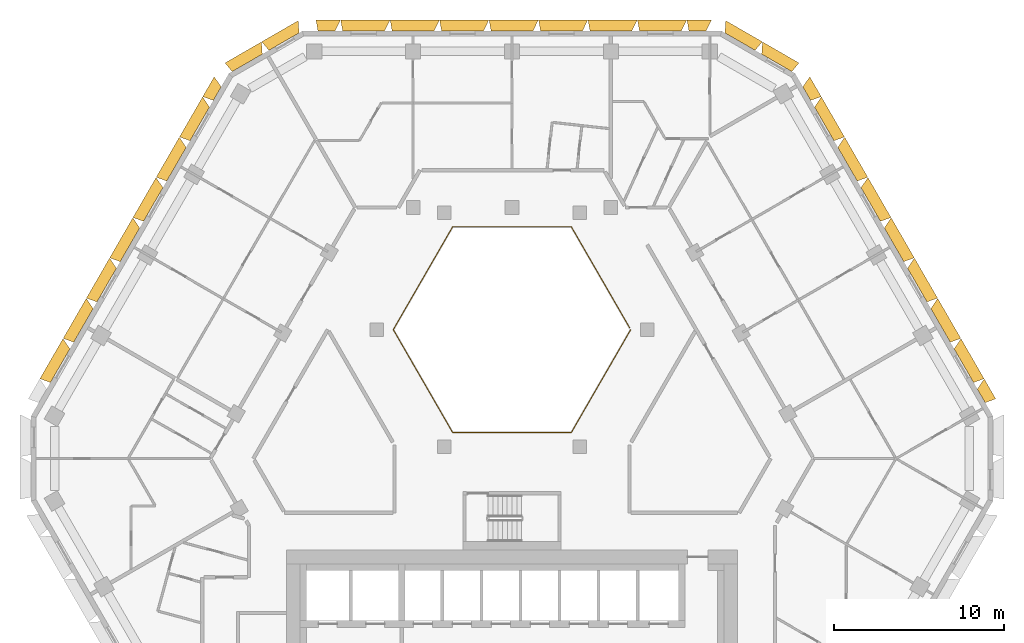
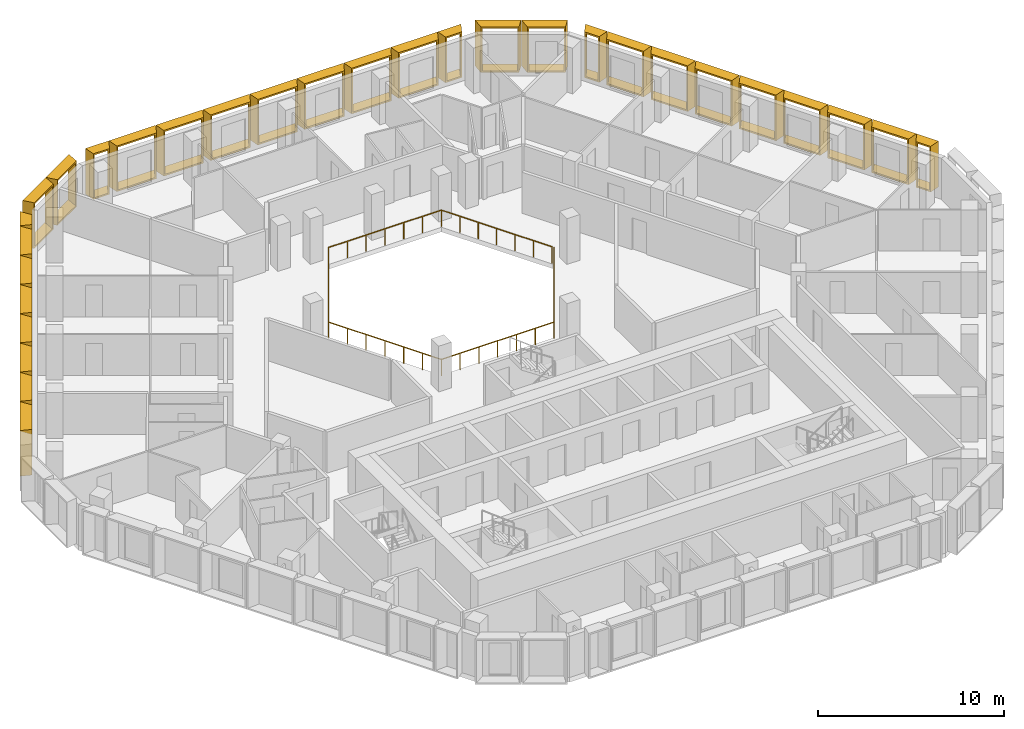
# One storey, part 15 of 15: 30 shading devices, 1 railing.
"""IFC4 building model written with IfcOpenShell, lengths in metres."""

from ifc_helpers import new_model, entity, si_unit, direction, frame, origin, origin_2d, place, context, subcontext, project, spatial, rectangle, extrude, source, transform, mapped, material, type_object, type_shapes, element, save


model = new_model("IFC4")

# Units and contexts
model_context = context("Model", 3, precision=1e-05, world=origin(), true_north=direction((0.0, 1.0)))
body_context = subcontext(model_context, "Body", "Model", "MODEL_VIEW")
ifc_project = project(units=[si_unit("LENGTHUNIT", "METRE"), si_unit("AREAUNIT", "SQUARE_METRE"), si_unit("VOLUMEUNIT", "CUBIC_METRE"), si_unit("PLANEANGLEUNIT", "RADIAN"), si_unit("MASSUNIT", "GRAM", prefix="KILO")], contexts=[model_context])

# Site, building, storey
site_placement = place(None, origin())
site = spatial("IfcSite", under=ifc_project, at=site_placement, CompositionType="ELEMENT")
building_placement = place(site_placement, origin())
building = spatial("IfcBuilding", under=site, at=building_placement, Name="Beryl Residences", CompositionType="ELEMENT")
storey_placement = place(building_placement, frame((0.0, 0.0, 117.60009765625)))
storey = spatial("IfcBuildingStorey", under=building, at=storey_placement, Name="L35", CompositionType="ELEMENT", Elevation=117.60009765625)

# Railing
ifc_material_1 = material(Name="Stainless steel balustrade with glass infill", Category="steel")
railing_type = type_object("IfcRailingType", Name="EG1 edge guard 1100 mm", PredefinedType="GUARDRAIL", material=ifc_material_1)
railing_placement = place(storey_placement, frame((6.9970703125, 8.0, 0.0)))
element("IfcRailing", 1, at=railing_placement, inside=storey, type_object=railing_type, Name="L35 atrium guard", PredefinedType="GUARDRAIL", context=body_context, shape_type="SweptSolid", body=[
    extrude(rectangle(XDim=0.048095703125, YDim=0.048095703125, at=origin_2d()), frame((0.0, 0.0, 1.076171875), z_axis=(-0.499921796684, -0.866070549782, 0.0), x_axis=(0.866070549782, -0.499921796684, 0.0)), (0.0, 0.0, 1.0), 6.9970703125),
    extrude(rectangle(XDim=0.048095703125, YDim=0.048095703125, at=origin_2d()), frame((-3.498046875, -6.06005859375, 1.076171875), z_axis=(-1.0, 0.0, 0.0), x_axis=(0.0, -1.0, 0.0)), (0.0, 0.0, 1.0), 6.998046875),
    extrude(rectangle(XDim=0.048095703125, YDim=0.048095703125, at=origin_2d()), frame((-10.49609375, -6.06005859375, 1.076171875), z_axis=(-0.499921796684, 0.866070549782, 0.0), x_axis=(-0.866070549782, -0.499921796684, 0.0)), (0.0, 0.0, 1.0), 6.9970703125),
    extrude(rectangle(XDim=0.048095703125, YDim=0.048095703125, at=origin_2d()), frame((-13.994140625, 0.0, 1.076171875), z_axis=(0.499921796684, 0.866070549782, 0.0), x_axis=(-0.866070549782, 0.499921796684, 0.0)), (0.0, 0.0, 1.0), 6.9970703125),
    extrude(rectangle(XDim=0.048095703125, YDim=0.048095703125, at=origin_2d()), frame((-10.49609375, 6.06005859375, 1.076171875), z_axis=(1.0, 0.0, 0.0), x_axis=(0.0, 1.0, 0.0)), (0.0, 0.0, 1.0), 6.998046875),
    extrude(rectangle(XDim=0.048095703125, YDim=0.048095703125, at=origin_2d()), frame((-3.498046875, 6.06005859375, 1.076171875), z_axis=(0.499919131929, -0.866072087953, 0.0), x_axis=(0.866072087953, 0.499919131929, 0.0)), (0.0, 0.0, 1.0), 6.877197265625),
    extrude(rectangle(XDim=0.0419921875, YDim=0.0419921875, at=origin_2d()), origin(), (0.0, 0.0, 1.0), 1.052001953125),
    extrude(rectangle(XDim=0.0419921875, YDim=0.0419921875, at=origin_2d()), frame((-0.5830078125, -1.010009765625, 0.0)), (0.0, 0.0, 1.0), 1.052001953125),
    extrude(rectangle(XDim=0.0419921875, YDim=0.0419921875, at=origin_2d()), frame((-1.166015625, -2.02001953125, 0.0)), (0.0, 0.0, 1.0), 1.052001953125),
    extrude(rectangle(XDim=0.0419921875, YDim=0.0419921875, at=origin_2d()), frame((-1.7490234375, -3.030029296875, 0.0)), (0.0, 0.0, 1.0), 1.052001953125),
    extrude(rectangle(XDim=0.0419921875, YDim=0.0419921875, at=origin_2d()), frame((-2.33203125, -4.0400390625, 0.0)), (0.0, 0.0, 1.0), 1.052001953125),
    extrude(rectangle(XDim=0.0419921875, YDim=0.0419921875, at=origin_2d()), frame((-2.9150390625, -5.050048828125, 0.0)), (0.0, 0.0, 1.0), 1.052001953125),
    extrude(rectangle(XDim=0.0419921875, YDim=0.0419921875, at=origin_2d()), frame((-3.498046875, -6.06005859375, 0.0)), (0.0, 0.0, 1.0), 1.052001953125),
    extrude(rectangle(XDim=0.0419921875, YDim=0.0419921875, at=origin_2d()), frame((-4.664306640625, -6.06005859375, 0.0)), (0.0, 0.0, 1.0), 1.052001953125),
    extrude(rectangle(XDim=0.0419921875, YDim=0.0419921875, at=origin_2d()), frame((-5.830810546875, -6.06005859375, 0.0)), (0.0, 0.0, 1.0), 1.052001953125),
    extrude(rectangle(XDim=0.0419921875, YDim=0.0419921875, at=origin_2d()), frame((-6.9970703125, -6.06005859375, 0.0)), (0.0, 0.0, 1.0), 1.052001953125),
    extrude(rectangle(XDim=0.0419921875, YDim=0.0419921875, at=origin_2d()), frame((-8.163330078125, -6.06005859375, 0.0)), (0.0, 0.0, 1.0), 1.052001953125),
    extrude(rectangle(XDim=0.0419921875, YDim=0.0419921875, at=origin_2d()), frame((-9.329833984375, -6.06005859375, 0.0)), (0.0, 0.0, 1.0), 1.052001953125),
    extrude(rectangle(XDim=0.0419921875, YDim=0.0419921875, at=origin_2d()), frame((-10.49609375, -6.06005859375, 0.0)), (0.0, 0.0, 1.0), 1.052001953125),
    extrude(rectangle(XDim=0.0419921875, YDim=0.0419921875, at=origin_2d()), frame((-11.0791015625, -5.050048828125, 0.0)), (0.0, 0.0, 1.0), 1.052001953125),
    extrude(rectangle(XDim=0.0419921875, YDim=0.0419921875, at=origin_2d()), frame((-11.662109375, -4.0400390625, 0.0)), (0.0, 0.0, 1.0), 1.052001953125),
    extrude(rectangle(XDim=0.0419921875, YDim=0.0419921875, at=origin_2d()), frame((-12.2451171875, -3.030029296875, 0.0)), (0.0, 0.0, 1.0), 1.052001953125),
    extrude(rectangle(XDim=0.0419921875, YDim=0.0419921875, at=origin_2d()), frame((-12.828125, -2.02001953125, 0.0)), (0.0, 0.0, 1.0), 1.052001953125),
    extrude(rectangle(XDim=0.0419921875, YDim=0.0419921875, at=origin_2d()), frame((-13.4111328125, -1.010009765625, 0.0)), (0.0, 0.0, 1.0), 1.052001953125),
    extrude(rectangle(XDim=0.0419921875, YDim=0.0419921875, at=origin_2d()), frame((-13.994140625, 0.0, 0.0)), (0.0, 0.0, 1.0), 1.052001953125),
    extrude(rectangle(XDim=0.0419921875, YDim=0.0419921875, at=origin_2d()), frame((-13.4111328125, 1.010009765625, 0.0)), (0.0, 0.0, 1.0), 1.052001953125),
    extrude(rectangle(XDim=0.0419921875, YDim=0.0419921875, at=origin_2d()), frame((-12.828125, 2.02001953125, 0.0)), (0.0, 0.0, 1.0), 1.052001953125),
    extrude(rectangle(XDim=0.0419921875, YDim=0.0419921875, at=origin_2d()), frame((-12.2451171875, 3.030029296875, 0.0)), (0.0, 0.0, 1.0), 1.052001953125),
    extrude(rectangle(XDim=0.0419921875, YDim=0.0419921875, at=origin_2d()), frame((-11.662109375, 4.0400390625, 0.0)), (0.0, 0.0, 1.0), 1.052001953125),
    extrude(rectangle(XDim=0.0419921875, YDim=0.0419921875, at=origin_2d()), frame((-11.0791015625, 5.050048828125, 0.0)), (0.0, 0.0, 1.0), 1.052001953125),
    extrude(rectangle(XDim=0.0419921875, YDim=0.0419921875, at=origin_2d()), frame((-10.49609375, 6.06005859375, 0.0)), (0.0, 0.0, 1.0), 1.052001953125),
    extrude(rectangle(XDim=0.0419921875, YDim=0.0419921875, at=origin_2d()), frame((-9.329833984375, 6.06005859375, 0.0)), (0.0, 0.0, 1.0), 1.052001953125),
    extrude(rectangle(XDim=0.0419921875, YDim=0.0419921875, at=origin_2d()), frame((-8.163330078125, 6.06005859375, 0.0)), (0.0, 0.0, 1.0), 1.052001953125),
    extrude(rectangle(XDim=0.0419921875, YDim=0.0419921875, at=origin_2d()), frame((-6.9970703125, 6.06005859375, 0.0)), (0.0, 0.0, 1.0), 1.052001953125),
    extrude(rectangle(XDim=0.0419921875, YDim=0.0419921875, at=origin_2d()), frame((-5.830810546875, 6.06005859375, 0.0)), (0.0, 0.0, 1.0), 1.052001953125),
    extrude(rectangle(XDim=0.0419921875, YDim=0.0419921875, at=origin_2d()), frame((-4.664306640625, 6.06005859375, 0.0)), (0.0, 0.0, 1.0), 1.052001953125),
    extrude(rectangle(XDim=0.0419921875, YDim=0.0419921875, at=origin_2d()), frame((-3.498046875, 6.06005859375, 0.0)), (0.0, 0.0, 1.0), 1.052001953125),
    extrude(rectangle(XDim=0.0419921875, YDim=0.0419921875, at=origin_2d()), frame((-2.925048828125, 5.0673828125, 0.0)), (0.0, 0.0, 1.0), 1.052001953125),
    extrude(rectangle(XDim=0.0419921875, YDim=0.0419921875, at=origin_2d()), frame((-2.35205078125, 4.07470703125, 0.0)), (0.0, 0.0, 1.0), 1.052001953125),
    extrude(rectangle(XDim=0.0419921875, YDim=0.0419921875, at=origin_2d()), frame((-1.779052734375, 3.08203125, 0.0)), (0.0, 0.0, 1.0), 1.052001953125),
    extrude(rectangle(XDim=0.0419921875, YDim=0.0419921875, at=origin_2d()), frame((-1.2060546875, 2.08935546875, 0.0)), (0.0, 0.0, 1.0), 1.052001953125),
    extrude(rectangle(XDim=0.0419921875, YDim=0.0419921875, at=origin_2d()), frame((-0.633056640625, 1.0966796875, 0.0)), (0.0, 0.0, 1.0), 1.052001953125),
    extrude(rectangle(XDim=0.0419921875, YDim=0.0419921875, at=origin_2d()), frame((-0.06005859375, 0.10400390625, 0.0)), (0.0, 0.0, 1.0), 1.052001953125),
])

# Shading devices
ifc_material_2 = material(Name="Aluminium pale anodised", Category="aluminium")
shading_device_type_1 = type_object("IfcShadingDeviceType", Name="FR137-65B OUTER SKIN frame 650 mm deep, splay 26/10 deg, 1370 x 3000 mm cell", PredefinedType="USERDEFINED", material=ifc_material_2)
cartesian_point_1 = entity("IfcCartesianPoint", [-0.458984375, 0.0])
cartesian_point_2 = entity("IfcCartesianPoint", [-0.369873046875, 0.10009765625])
cartesian_point_3 = entity("IfcCartesianPoint", [-0.776123046875, 0.0])
cartesian_point_4 = entity("IfcCartesianPoint", [-0.68701171875, 0.10009765625])
shared_shape_1 = source(origin(), body_context, "Body", "SweptSolid", [
    entity("IfcExtrudedAreaSolidTapered", entity("IfcArbitraryProfileDefWithVoids", "AREA", None, entity("IfcPolyline", [cartesian_point_1, entity("IfcCartesianPoint", [0.458984375, 0.0]), entity("IfcCartesianPoint", [0.458984375, 3.0]), entity("IfcCartesianPoint", [-0.458984375, 3.0]), cartesian_point_1]), [entity("IfcPolyline", [cartesian_point_2, entity("IfcCartesianPoint", [0.377685546875, 0.10009765625]), entity("IfcCartesianPoint", [0.377685546875, 2.89990234375]), entity("IfcCartesianPoint", [-0.369873046875, 2.89990234375]), cartesian_point_2])]), entity("IfcAxis2Placement3D", entity("IfcCartesianPoint", [0.0, 0.0, 0.0]), entity("IfcDirection", [0.0, 1.0, 0.0]), entity("IfcDirection", [-1.0, 0.0, 0.0])), entity("IfcDirection", [0.0, 0.0, 1.0]), 0.64990234375, entity("IfcArbitraryProfileDefWithVoids", "AREA", None, entity("IfcPolyline", [cartesian_point_3, entity("IfcCartesianPoint", [0.57373046875, 0.0]), entity("IfcCartesianPoint", [0.57373046875, 3.0]), entity("IfcCartesianPoint", [-0.776123046875, 3.0]), cartesian_point_3]), [entity("IfcPolyline", [cartesian_point_4, entity("IfcCartesianPoint", [0.492431640625, 0.10009765625]), entity("IfcCartesianPoint", [0.492431640625, 2.89990234375]), entity("IfcCartesianPoint", [-0.68701171875, 2.89990234375]), cartesian_point_4])])),
])
type_shapes(shading_device_type_1, [shared_shape_1])
shading_device_placement = place(storey_placement, frame((-17.375, 21.906982421875, 0.0), z_axis=(0.0, 0.0, 1.0), x_axis=(0.5, 0.866025403784, 0.0)))
element("IfcShadingDevice", 2, at=shading_device_placement, inside=storey, type_object=shading_device_type_1, Name="FR137-65B frame L35 NW 1", ObjectType="OUTER SKIN", PredefinedType="USERDEFINED", context=body_context, shape_type="MappedRepresentation", body=[
    mapped(shared_shape_1, transform((0.0, 0.0, 0.0))),
])
ifc_material_3 = material(Name="Aluminium pale anodised", Category="aluminium")
shading_device_type_2 = type_object("IfcShadingDeviceType", Name="FR137-65C OUTER SKIN frame 650 mm deep, splay 10/26 deg, 1370 x 3000 mm cell", PredefinedType="USERDEFINED", material=ifc_material_3)
cartesian_point_5 = entity("IfcCartesianPoint", [-0.458984375, 0.0])
cartesian_point_6 = entity("IfcCartesianPoint", [-0.377685546875, 0.10009765625])
cartesian_point_7 = entity("IfcCartesianPoint", [-0.57373046875, 0.0])
cartesian_point_8 = entity("IfcCartesianPoint", [-0.492431640625, 0.10009765625])
shared_shape_2 = source(origin(), body_context, "Body", "SweptSolid", [
    entity("IfcExtrudedAreaSolidTapered", entity("IfcArbitraryProfileDefWithVoids", "AREA", None, entity("IfcPolyline", [cartesian_point_5, entity("IfcCartesianPoint", [0.458984375, 0.0]), entity("IfcCartesianPoint", [0.458984375, 3.0]), entity("IfcCartesianPoint", [-0.458984375, 3.0]), cartesian_point_5]), [entity("IfcPolyline", [cartesian_point_6, entity("IfcCartesianPoint", [0.369873046875, 0.10009765625]), entity("IfcCartesianPoint", [0.369873046875, 2.89990234375]), entity("IfcCartesianPoint", [-0.377685546875, 2.89990234375]), cartesian_point_6])]), entity("IfcAxis2Placement3D", entity("IfcCartesianPoint", [0.0, 0.0, 0.0]), entity("IfcDirection", [0.0, 1.0, 0.0]), entity("IfcDirection", [-1.0, 0.0, 0.0])), entity("IfcDirection", [0.0, 0.0, 1.0]), 0.64990234375, entity("IfcArbitraryProfileDefWithVoids", "AREA", None, entity("IfcPolyline", [cartesian_point_7, entity("IfcCartesianPoint", [0.776123046875, 0.0]), entity("IfcCartesianPoint", [0.776123046875, 3.0]), entity("IfcCartesianPoint", [-0.57373046875, 3.0]), cartesian_point_7]), [entity("IfcPolyline", [cartesian_point_8, entity("IfcCartesianPoint", [0.68701171875, 0.10009765625]), entity("IfcCartesianPoint", [0.68701171875, 2.89990234375]), entity("IfcCartesianPoint", [-0.492431640625, 2.89990234375]), cartesian_point_8])])),
])
type_shapes(shading_device_type_2, [shared_shape_2])
for number, where, z_axis, x_axis, name in (
    (3, (27.658935546875, 4.093017578125, 0.0), (0.0, 0.0, 1.0), (0.5, -0.866025403784, 0.0), "FR137-65C frame L35 NE 1"),
    (4, (17.375, 21.906982421875, 0.0), (0.0, 0.0, 1.0), (0.5, -0.866025403784, 0.0), "FR137-65C frame L35 NE 9"),
):
    element("IfcShadingDevice", number, at=place(storey_placement, frame(where, z_axis=z_axis, x_axis=x_axis)), inside=storey, type_object=shading_device_type_2, Name=name, ObjectType="OUTER SKIN", PredefinedType="USERDEFINED", context=body_context, shape_type="MappedRepresentation", body=[
        mapped(shared_shape_2, transform((0.0, 0.0, 0.0))),
    ])
ifc_material_4 = material(Name="Aluminium pale anodised", Category="aluminium")
shading_device_type_3 = type_object("IfcShadingDeviceType", Name="FR146-65B OUTER SKIN frame 650 mm deep, splay 26/10 deg, 1460 x 3000 mm cell", PredefinedType="USERDEFINED", material=ifc_material_4)
cartesian_point_9 = entity("IfcCartesianPoint", [-0.50390625, 0.0])
cartesian_point_10 = entity("IfcCartesianPoint", [-0.4150390625, 0.10009765625])
cartesian_point_11 = entity("IfcCartesianPoint", [-0.821044921875, 0.0])
cartesian_point_12 = entity("IfcCartesianPoint", [-0.73193359375, 0.10009765625])
shared_shape_3 = source(origin(), body_context, "Body", "SweptSolid", [
    entity("IfcExtrudedAreaSolidTapered", entity("IfcArbitraryProfileDefWithVoids", "AREA", None, entity("IfcPolyline", [cartesian_point_9, entity("IfcCartesianPoint", [0.50390625, 0.0]), entity("IfcCartesianPoint", [0.50390625, 3.0]), entity("IfcCartesianPoint", [-0.50390625, 3.0]), cartesian_point_9]), [entity("IfcPolyline", [cartesian_point_10, entity("IfcCartesianPoint", [0.4228515625, 0.10009765625]), entity("IfcCartesianPoint", [0.4228515625, 2.89990234375]), entity("IfcCartesianPoint", [-0.4150390625, 2.89990234375]), cartesian_point_10])]), entity("IfcAxis2Placement3D", entity("IfcCartesianPoint", [0.0, 0.0, 0.0]), entity("IfcDirection", [0.0, 1.0, 0.0]), entity("IfcDirection", [-1.0, 0.0, 0.0])), entity("IfcDirection", [0.0, 0.0, 1.0]), 0.64990234375, entity("IfcArbitraryProfileDefWithVoids", "AREA", None, entity("IfcPolyline", [cartesian_point_11, entity("IfcCartesianPoint", [0.61865234375, 0.0]), entity("IfcCartesianPoint", [0.61865234375, 3.0]), entity("IfcCartesianPoint", [-0.821044921875, 3.0]), cartesian_point_11]), [entity("IfcPolyline", [cartesian_point_12, entity("IfcCartesianPoint", [0.537353515625, 0.10009765625]), entity("IfcCartesianPoint", [0.537353515625, 2.89990234375]), entity("IfcCartesianPoint", [-0.73193359375, 2.89990234375]), cartesian_point_12])])),
])
type_shapes(shading_device_type_3, [shared_shape_3])
for number, where, z_axis, x_axis, name in (
    (5, (10.93310546875, 25.60009765625, 0.0), (0.0, 0.0, 1.0), (1.0, 0.0, 0.0), "FR146-65B frame L35 N 1"),
    (6, (-10.93310546875, 25.60009765625, 0.0), (0.0, 0.0, 1.0), (1.0, 0.0, 0.0), "FR146-65B frame L35 N 9"),
):
    element("IfcShadingDevice", number, at=place(storey_placement, frame(where, z_axis=z_axis, x_axis=x_axis)), inside=storey, type_object=shading_device_type_3, Name=name, ObjectType="OUTER SKIN", PredefinedType="USERDEFINED", context=body_context, shape_type="MappedRepresentation", body=[
        mapped(shared_shape_3, transform((0.0, 0.0, 0.0))),
    ])
ifc_material_5 = material(Name="Aluminium pale anodised", Category="aluminium")
shading_device_type_4 = type_object("IfcShadingDeviceType", Name="FR250-65B OUTER SKIN frame 650 mm deep, splay 26/10 deg, 2500 x 3000 mm cell", PredefinedType="USERDEFINED", material=ifc_material_5)
cartesian_point_13 = entity("IfcCartesianPoint", [-1.02392578125, 0.0])
cartesian_point_14 = entity("IfcCartesianPoint", [-0.93505859375, 0.10009765625])
cartesian_point_15 = entity("IfcCartesianPoint", [-1.341064453125, 0.0])
cartesian_point_16 = entity("IfcCartesianPoint", [-1.251953125, 0.10009765625])
shared_shape_4 = source(origin(), body_context, "Body", "SweptSolid", [
    entity("IfcExtrudedAreaSolidTapered", entity("IfcArbitraryProfileDefWithVoids", "AREA", None, entity("IfcPolyline", [cartesian_point_13, entity("IfcCartesianPoint", [1.02392578125, 0.0]), entity("IfcCartesianPoint", [1.02392578125, 3.0]), entity("IfcCartesianPoint", [-1.02392578125, 3.0]), cartesian_point_13]), [entity("IfcPolyline", [cartesian_point_14, entity("IfcCartesianPoint", [0.94287109375, 0.10009765625]), entity("IfcCartesianPoint", [0.94287109375, 2.89990234375]), entity("IfcCartesianPoint", [-0.93505859375, 2.89990234375]), cartesian_point_14])]), entity("IfcAxis2Placement3D", entity("IfcCartesianPoint", [0.0, 0.0, 0.0]), entity("IfcDirection", [0.0, 1.0, 0.0]), entity("IfcDirection", [-1.0, 0.0, 0.0])), entity("IfcDirection", [0.0, 0.0, 1.0]), 0.64990234375, entity("IfcArbitraryProfileDefWithVoids", "AREA", None, entity("IfcPolyline", [cartesian_point_15, entity("IfcCartesianPoint", [1.138671875, 0.0]), entity("IfcCartesianPoint", [1.138671875, 3.0]), entity("IfcCartesianPoint", [-1.341064453125, 3.0]), cartesian_point_15]), [entity("IfcPolyline", [cartesian_point_16, entity("IfcCartesianPoint", [1.057373046875, 0.10009765625]), entity("IfcCartesianPoint", [1.057373046875, 2.89990234375]), entity("IfcCartesianPoint", [-1.251953125, 2.89990234375]), cartesian_point_16])])),
])
type_shapes(shading_device_type_4, [shared_shape_4])
for number, where, z_axis, x_axis, name in (
    (7, (-13.43798828125, 24.97509765625, 0.0), (0.0, 0.0, 1.0), (0.866025403784, 0.5, 0.0), "FR250-65B frame L35 N-NW 1"),
    (8, (-15.60205078125, 23.72509765625, 0.0), (0.0, 0.0, 1.0), (0.866025403784, 0.5, 0.0), "FR250-65B frame L35 N-NW 2"),
):
    element("IfcShadingDevice", number, at=place(storey_placement, frame(where, z_axis=z_axis, x_axis=x_axis)), inside=storey, type_object=shading_device_type_4, Name=name, ObjectType="OUTER SKIN", PredefinedType="USERDEFINED", context=body_context, shape_type="MappedRepresentation", body=[
        mapped(shared_shape_4, transform((0.0, 0.0, 0.0))),
    ])
ifc_material_6 = material(Name="Aluminium pale anodised", Category="aluminium")
shading_device_type_5 = type_object("IfcShadingDeviceType", Name="FR250-65C OUTER SKIN frame 650 mm deep, splay 10/26 deg, 2500 x 3000 mm cell", PredefinedType="USERDEFINED", material=ifc_material_6)
cartesian_point_17 = entity("IfcCartesianPoint", [-1.02392578125, 0.0])
cartesian_point_18 = entity("IfcCartesianPoint", [-0.94287109375, 0.10009765625])
cartesian_point_19 = entity("IfcCartesianPoint", [-1.138671875, 0.0])
cartesian_point_20 = entity("IfcCartesianPoint", [-1.057373046875, 0.10009765625])
shared_shape_5 = source(origin(), body_context, "Body", "SweptSolid", [
    entity("IfcExtrudedAreaSolidTapered", entity("IfcArbitraryProfileDefWithVoids", "AREA", None, entity("IfcPolyline", [cartesian_point_17, entity("IfcCartesianPoint", [1.02392578125, 0.0]), entity("IfcCartesianPoint", [1.02392578125, 3.0]), entity("IfcCartesianPoint", [-1.02392578125, 3.0]), cartesian_point_17]), [entity("IfcPolyline", [cartesian_point_18, entity("IfcCartesianPoint", [0.93505859375, 0.10009765625]), entity("IfcCartesianPoint", [0.93505859375, 2.89990234375]), entity("IfcCartesianPoint", [-0.94287109375, 2.89990234375]), cartesian_point_18])]), entity("IfcAxis2Placement3D", entity("IfcCartesianPoint", [0.0, 0.0, 0.0]), entity("IfcDirection", [0.0, 1.0, 0.0]), entity("IfcDirection", [-1.0, 0.0, 0.0])), entity("IfcDirection", [0.0, 0.0, 1.0]), 0.64990234375, entity("IfcArbitraryProfileDefWithVoids", "AREA", None, entity("IfcPolyline", [cartesian_point_19, entity("IfcCartesianPoint", [1.341064453125, 0.0]), entity("IfcCartesianPoint", [1.341064453125, 3.0]), entity("IfcCartesianPoint", [-1.138671875, 3.0]), cartesian_point_19]), [entity("IfcPolyline", [cartesian_point_20, entity("IfcCartesianPoint", [1.251953125, 0.10009765625]), entity("IfcCartesianPoint", [1.251953125, 2.89990234375]), entity("IfcCartesianPoint", [-1.057373046875, 2.89990234375]), cartesian_point_20])])),
])
type_shapes(shading_device_type_5, [shared_shape_5])
for number, where, z_axis, x_axis, name in (
    (9, (15.60205078125, 23.72509765625, 0.0), (0.0, 0.0, 1.0), (0.866025403784, -0.5, 0.0), "FR250-65C frame L35 NE-N 1"),
    (10, (13.43798828125, 24.97509765625, 0.0), (0.0, 0.0, 1.0), (0.866025403784, -0.5, 0.0), "FR250-65C frame L35 NE-N 2"),
):
    element("IfcShadingDevice", number, at=place(storey_placement, frame(where, z_axis=z_axis, x_axis=x_axis)), inside=storey, type_object=shading_device_type_5, Name=name, ObjectType="OUTER SKIN", PredefinedType="USERDEFINED", context=body_context, shape_type="MappedRepresentation", body=[
        mapped(shared_shape_5, transform((0.0, 0.0, 0.0))),
    ])
ifc_material_7 = material(Name="Aluminium pale anodised", Category="aluminium")
shading_device_type_6 = type_object("IfcShadingDeviceType", Name="FR274-65B OUTER SKIN frame 650 mm deep, splay 26/10 deg, 2740 x 3000 mm cell", PredefinedType="USERDEFINED", material=ifc_material_7)
cartesian_point_21 = entity("IfcCartesianPoint", [-1.14404296875, 0.0])
cartesian_point_22 = entity("IfcCartesianPoint", [-1.054931640625, 0.10009765625])
cartesian_point_23 = entity("IfcCartesianPoint", [-1.4609375, 0.0])
cartesian_point_24 = entity("IfcCartesianPoint", [-1.3720703125, 0.10009765625])
shared_shape_6 = source(origin(), body_context, "Body", "SweptSolid", [
    entity("IfcExtrudedAreaSolidTapered", entity("IfcArbitraryProfileDefWithVoids", "AREA", None, entity("IfcPolyline", [cartesian_point_21, entity("IfcCartesianPoint", [1.14404296875, 0.0]), entity("IfcCartesianPoint", [1.14404296875, 3.0]), entity("IfcCartesianPoint", [-1.14404296875, 3.0]), cartesian_point_21]), [entity("IfcPolyline", [cartesian_point_22, entity("IfcCartesianPoint", [1.062744140625, 0.10009765625]), entity("IfcCartesianPoint", [1.062744140625, 2.89990234375]), entity("IfcCartesianPoint", [-1.054931640625, 2.89990234375]), cartesian_point_22])]), entity("IfcAxis2Placement3D", entity("IfcCartesianPoint", [0.0, 0.0, 0.0]), entity("IfcDirection", [0.0, 1.0, 0.0]), entity("IfcDirection", [-1.0, 0.0, 0.0])), entity("IfcDirection", [0.0, 0.0, 1.0]), 0.64990234375, entity("IfcArbitraryProfileDefWithVoids", "AREA", None, entity("IfcPolyline", [cartesian_point_23, entity("IfcCartesianPoint", [1.258544921875, 0.0]), entity("IfcCartesianPoint", [1.258544921875, 3.0]), entity("IfcCartesianPoint", [-1.4609375, 3.0]), cartesian_point_23]), [entity("IfcPolyline", [cartesian_point_24, entity("IfcCartesianPoint", [1.177490234375, 0.10009765625]), entity("IfcCartesianPoint", [1.177490234375, 2.89990234375]), entity("IfcCartesianPoint", [-1.3720703125, 2.89990234375]), cartesian_point_24])])),
])
type_shapes(shading_device_type_6, [shared_shape_6])
for number, where, z_axis, x_axis, name in (
    (11, (-18.403076171875, 20.125, 0.0), (0.0, 0.0, 1.0), (0.5, 0.866025403784, 0.0), "FR274-65B frame L35 NW 2"),
    (12, (-19.77490234375, 17.75, 0.0), (0.0, 0.0, 1.0), (0.5, 0.866025403784, 0.0), "FR274-65B frame L35 NW 3"),
    (13, (-21.14599609375, 15.375, 0.0), (0.0, 0.0, 1.0), (0.5, 0.866025403784, 0.0), "FR274-65B frame L35 NW 4"),
    (14, (-22.51708984375, 13.0, 0.0), (0.0, 0.0, 1.0), (0.5, 0.866025403784, 0.0), "FR274-65B frame L35 NW 5"),
    (15, (-23.887939453125, 10.625, 0.0), (0.0, 0.0, 1.0), (0.5, 0.866025403784, 0.0), "FR274-65B frame L35 NW 6"),
    (16, (-25.259033203125, 8.25, 0.0), (0.0, 0.0, 1.0), (0.5, 0.866025403784, 0.0), "FR274-65B frame L35 NW 7"),
    (17, (-26.631103515625, 5.875, 0.0), (0.0, 0.0, 1.0), (0.5, 0.866025403784, 0.0), "FR274-65B frame L35 NW 8"),
):
    element("IfcShadingDevice", number, at=place(storey_placement, frame(where, z_axis=z_axis, x_axis=x_axis)), inside=storey, type_object=shading_device_type_6, Name=name, ObjectType="OUTER SKIN", PredefinedType="USERDEFINED", context=body_context, shape_type="MappedRepresentation", body=[
        mapped(shared_shape_6, transform((0.0, 0.0, 0.0))),
    ])
ifc_material_8 = material(Name="Aluminium pale anodised", Category="aluminium")
shading_device_type_7 = type_object("IfcShadingDeviceType", Name="FR274-65C OUTER SKIN frame 650 mm deep, splay 10/26 deg, 2740 x 3000 mm cell", PredefinedType="USERDEFINED", material=ifc_material_8)
cartesian_point_25 = entity("IfcCartesianPoint", [-1.14404296875, 0.0])
cartesian_point_26 = entity("IfcCartesianPoint", [-1.062744140625, 0.10009765625])
cartesian_point_27 = entity("IfcCartesianPoint", [-1.258544921875, 0.0])
cartesian_point_28 = entity("IfcCartesianPoint", [-1.177490234375, 0.10009765625])
shared_shape_7 = source(origin(), body_context, "Body", "SweptSolid", [
    entity("IfcExtrudedAreaSolidTapered", entity("IfcArbitraryProfileDefWithVoids", "AREA", None, entity("IfcPolyline", [cartesian_point_25, entity("IfcCartesianPoint", [1.14404296875, 0.0]), entity("IfcCartesianPoint", [1.14404296875, 3.0]), entity("IfcCartesianPoint", [-1.14404296875, 3.0]), cartesian_point_25]), [entity("IfcPolyline", [cartesian_point_26, entity("IfcCartesianPoint", [1.054931640625, 0.10009765625]), entity("IfcCartesianPoint", [1.054931640625, 2.89990234375]), entity("IfcCartesianPoint", [-1.062744140625, 2.89990234375]), cartesian_point_26])]), entity("IfcAxis2Placement3D", entity("IfcCartesianPoint", [0.0, 0.0, 0.0]), entity("IfcDirection", [0.0, 1.0, 0.0]), entity("IfcDirection", [-1.0, 0.0, 0.0])), entity("IfcDirection", [0.0, 0.0, 1.0]), 0.64990234375, entity("IfcArbitraryProfileDefWithVoids", "AREA", None, entity("IfcPolyline", [cartesian_point_27, entity("IfcCartesianPoint", [1.4609375, 0.0]), entity("IfcCartesianPoint", [1.4609375, 3.0]), entity("IfcCartesianPoint", [-1.258544921875, 3.0]), cartesian_point_27]), [entity("IfcPolyline", [cartesian_point_28, entity("IfcCartesianPoint", [1.3720703125, 0.10009765625]), entity("IfcCartesianPoint", [1.3720703125, 2.89990234375]), entity("IfcCartesianPoint", [-1.177490234375, 2.89990234375]), cartesian_point_28])])),
])
type_shapes(shading_device_type_7, [shared_shape_7])
for number, where, z_axis, x_axis, name in (
    (18, (26.631103515625, 5.875, 0.0), (0.0, 0.0, 1.0), (0.5, -0.866025403784, 0.0), "FR274-65C frame L35 NE 2"),
    (19, (25.259033203125, 8.25, 0.0), (0.0, 0.0, 1.0), (0.5, -0.866025403784, 0.0), "FR274-65C frame L35 NE 3"),
    (20, (23.887939453125, 10.625, 0.0), (0.0, 0.0, 1.0), (0.5, -0.866025403784, 0.0), "FR274-65C frame L35 NE 4"),
    (21, (22.51708984375, 13.0, 0.0), (0.0, 0.0, 1.0), (0.5, -0.866025403784, 0.0), "FR274-65C frame L35 NE 5"),
    (22, (21.14599609375, 15.375, 0.0), (0.0, 0.0, 1.0), (0.5, -0.866025403784, 0.0), "FR274-65C frame L35 NE 6"),
    (23, (19.77490234375, 17.75, 0.0), (0.0, 0.0, 1.0), (0.5, -0.866025403784, 0.0), "FR274-65C frame L35 NE 7"),
    (24, (18.403076171875, 20.125, 0.0), (0.0, 0.0, 1.0), (0.5, -0.866025403784, 0.0), "FR274-65C frame L35 NE 8"),
):
    element("IfcShadingDevice", number, at=place(storey_placement, frame(where, z_axis=z_axis, x_axis=x_axis)), inside=storey, type_object=shading_device_type_7, Name=name, ObjectType="OUTER SKIN", PredefinedType="USERDEFINED", context=body_context, shape_type="MappedRepresentation", body=[
        mapped(shared_shape_7, transform((0.0, 0.0, 0.0))),
    ])
ifc_material_9 = material(Name="Aluminium pale anodised", Category="aluminium")
shading_device_type_8 = type_object("IfcShadingDeviceType", Name="FR292-65B OUTER SKIN frame 650 mm deep, splay 26/10 deg, 2920 x 3000 mm cell", PredefinedType="USERDEFINED", material=ifc_material_9)
cartesian_point_29 = entity("IfcCartesianPoint", [-1.23388671875, 0.0])
cartesian_point_30 = entity("IfcCartesianPoint", [-1.14501953125, 0.10009765625])
cartesian_point_31 = entity("IfcCartesianPoint", [-1.551025390625, 0.0])
cartesian_point_32 = entity("IfcCartesianPoint", [-1.4619140625, 0.10009765625])
shared_shape_8 = source(origin(), body_context, "Body", "SweptSolid", [
    entity("IfcExtrudedAreaSolidTapered", entity("IfcArbitraryProfileDefWithVoids", "AREA", None, entity("IfcPolyline", [cartesian_point_29, entity("IfcCartesianPoint", [1.23388671875, 0.0]), entity("IfcCartesianPoint", [1.23388671875, 3.0]), entity("IfcCartesianPoint", [-1.23388671875, 3.0]), cartesian_point_29]), [entity("IfcPolyline", [cartesian_point_30, entity("IfcCartesianPoint", [1.15283203125, 0.10009765625]), entity("IfcCartesianPoint", [1.15283203125, 2.89990234375]), entity("IfcCartesianPoint", [-1.14501953125, 2.89990234375]), cartesian_point_30])]), entity("IfcAxis2Placement3D", entity("IfcCartesianPoint", [0.0, 0.0, 0.0]), entity("IfcDirection", [0.0, 1.0, 0.0]), entity("IfcDirection", [-1.0, 0.0, 0.0])), entity("IfcDirection", [0.0, 0.0, 1.0]), 0.64990234375, entity("IfcArbitraryProfileDefWithVoids", "AREA", None, entity("IfcPolyline", [cartesian_point_31, entity("IfcCartesianPoint", [1.3486328125, 0.0]), entity("IfcCartesianPoint", [1.3486328125, 3.0]), entity("IfcCartesianPoint", [-1.551025390625, 3.0]), cartesian_point_31]), [entity("IfcPolyline", [cartesian_point_32, entity("IfcCartesianPoint", [1.267333984375, 0.10009765625]), entity("IfcCartesianPoint", [1.267333984375, 2.89990234375]), entity("IfcCartesianPoint", [-1.4619140625, 2.89990234375]), cartesian_point_32])])),
])
type_shapes(shading_device_type_8, [shared_shape_8])
for number, where, z_axis, x_axis, name in (
    (25, (8.7470703125, 25.60009765625, 0.0), (0.0, 0.0, 1.0), (1.0, 0.0, 0.0), "FR292-65B frame L35 N 2"),
    (26, (5.8310546875, 25.60009765625, 0.0), (0.0, 0.0, 1.0), (1.0, 0.0, 0.0), "FR292-65B frame L35 N 3"),
    (27, (2.916015625, 25.60009765625, 0.0), (0.0, 0.0, 1.0), (1.0, 0.0, 0.0), "FR292-65B frame L35 N 4"),
    (28, (0.0, 25.60009765625, 0.0), (0.0, 0.0, 1.0), (1.0, 0.0, 0.0), "FR292-65B frame L35 N 5"),
    (29, (-2.916015625, 25.60009765625, 0.0), (0.0, 0.0, 1.0), (1.0, 0.0, 0.0), "FR292-65B frame L35 N 6"),
    (30, (-5.8310546875, 25.60009765625, 0.0), (0.0, 0.0, 1.0), (1.0, 0.0, 0.0), "FR292-65B frame L35 N 7"),
    (31, (-8.7470703125, 25.60009765625, 0.0), (0.0, 0.0, 1.0), (1.0, 0.0, 0.0), "FR292-65B frame L35 N 8"),
):
    element("IfcShadingDevice", number, at=place(storey_placement, frame(where, z_axis=z_axis, x_axis=x_axis)), inside=storey, type_object=shading_device_type_8, Name=name, ObjectType="OUTER SKIN", PredefinedType="USERDEFINED", context=body_context, shape_type="MappedRepresentation", body=[
        mapped(shared_shape_8, transform((0.0, 0.0, 0.0))),
    ])

save(model, "model.ifc")
